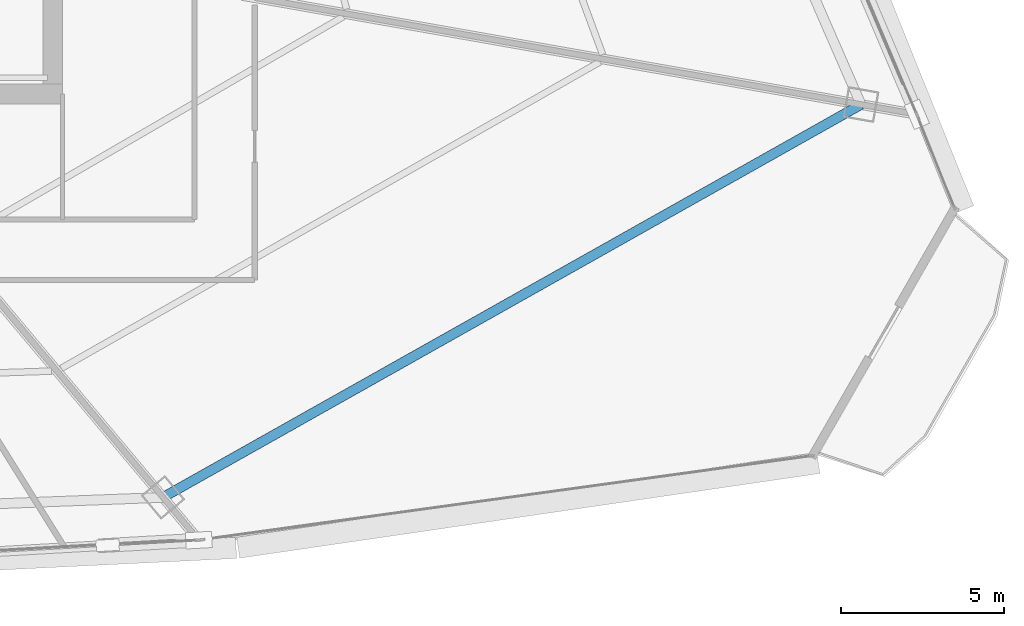
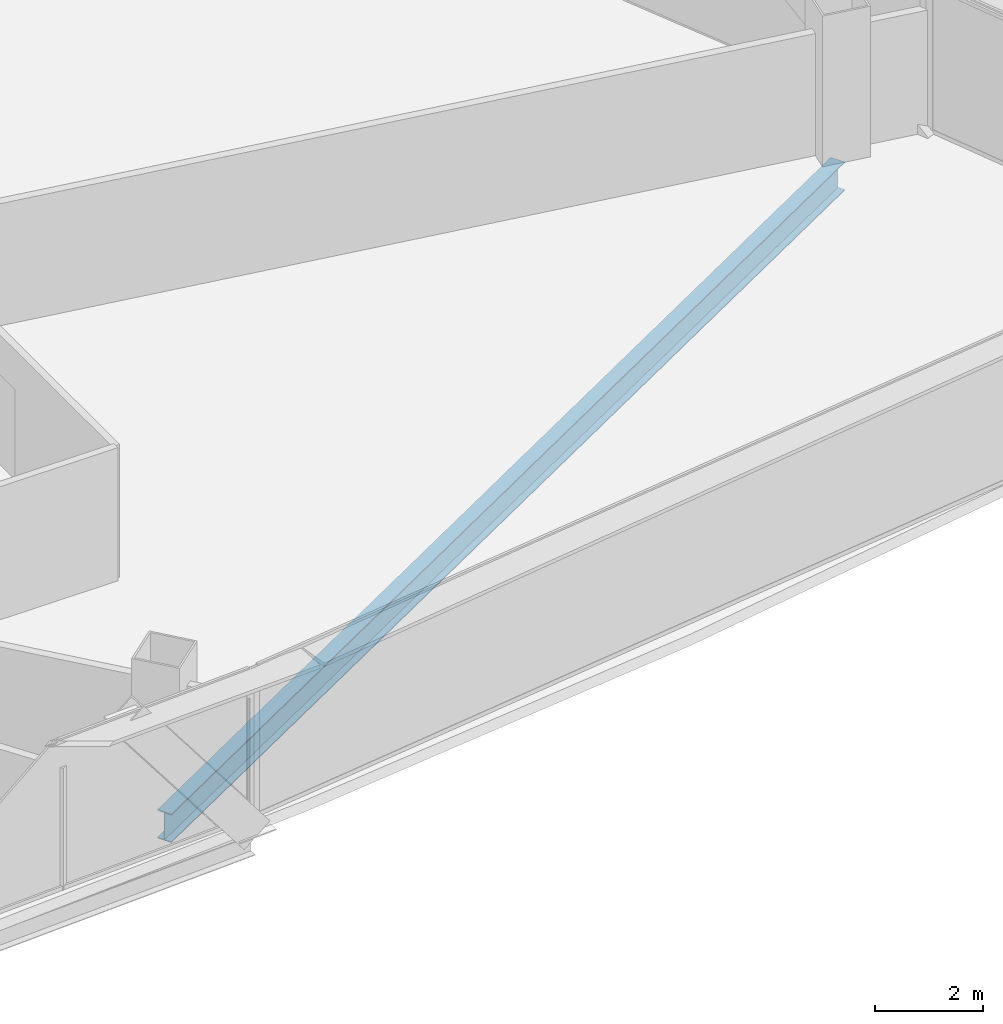
# One storey, part 23 of 39: 1 beam.
"""IFC4 building model written with IfcOpenShell, lengths in metres."""

import ifcopenshell
import ifcopenshell.guid

model = None  # the IFC model being written
_history = None  # IfcOwnerHistory: only IFC2X3 demands one
_inside = {}  # id of a spatial element -> (the spatial element, [elements in it])
_under = {}  # id of a project, library or spatial element -> (it, [spatial elements below it])
_declared = {}  # id of a project -> (the project, [libraries it declares])
_typed = {}  # id of a type object -> (the type object, [elements of that type])
_made_of = {}  # id of a material, layer set ... -> (it, [elements and type objects made of it])


def new_model(schema):
    """Start an empty IFC model of exactly this schema.

    Asked for "IFC4X3", IfcOpenShell would pick the latest addendum, in which some entities
    have other attributes; the version numbers below select the first issue.
    IFC2X3 requires an IfcOwnerHistory on every rooted entity: one is made here for all.
    """
    global model, _history
    if schema == "IFC4X3":
        model = ifcopenshell.file(schema_version=(4, 3, 0, 0))
    else:
        model = ifcopenshell.file(schema=schema)
    _inside.clear()
    _under.clear()
    _declared.clear()
    _typed.clear()
    _made_of.clear()
    _history = None
    if model.schema == "IFC2X3":
        org = make("IfcOrganization", Name="unknown")
        user = make(
            "IfcPersonAndOrganization",
            ThePerson=make("IfcPerson", FamilyName="unknown"),
            TheOrganization=org,
        )
        app = make(
            "IfcApplication",
            ApplicationDeveloper=org,
            Version="unknown",
            ApplicationFullName="unknown",
            ApplicationIdentifier="unknown",
        )
        _history = make(
            "IfcOwnerHistory",
            OwningUser=user,
            OwningApplication=app,
            ChangeAction="ADDED",
            CreationDate=0,
        )
    return model


def make(cls, **values):
    """One entity of the class cls with the attributes given. An attribute that is None is left unset."""
    return model.create_entity(
        cls, **{name: value for name, value in values.items() if value is not None}
    )


def rooted(cls, **values):
    """An entity with a GlobalId (a new one), such as an element, a storey or a relation."""
    return make(cls, GlobalId=ifcopenshell.guid.new(), OwnerHistory=_history, **values)


def si_unit(unit_type, name, prefix=None):
    """IfcSIUnit, for example si_unit("LENGTHUNIT", "METRE", prefix="MILLI")."""
    return make("IfcSIUnit", UnitType=unit_type, Prefix=prefix, Name=name)


def assignment(units):
    """IfcUnitAssignment: the units of a project."""
    return None if units is None else make("IfcUnitAssignment", Units=units)


def point(xyz):
    """IfcCartesianPoint."""
    return None if xyz is None else make("IfcCartesianPoint", Coordinates=xyz)


def direction(xyz):
    """IfcDirection."""
    return None if xyz is None else make("IfcDirection", DirectionRatios=xyz)


def frame(location, z_axis=None, x_axis=None):
    """IfcAxis2Placement3D, a coordinate frame: its origin and axes. An axis left out is left unset."""
    return make(
        "IfcAxis2Placement3D",
        Location=point(location),
        Axis=direction(z_axis),
        RefDirection=direction(x_axis),
    )


def frame_2d(location, x_axis=None):
    """IfcAxis2Placement2D, a coordinate frame in the plane: its origin and x axis."""
    return make(
        "IfcAxis2Placement2D", Location=point(location), RefDirection=direction(x_axis)
    )


def origin():
    """The frame at (0, 0, 0) with its axes left unset."""
    return frame((0.0, 0.0, 0.0))


def origin_2d():
    """The frame at (0, 0) in the plane with its x axis left unset."""
    return frame_2d((0.0, 0.0))


def place(relative_to, where):
    """IfcLocalPlacement: puts the frame where relative to a parent placement (None: the world)."""
    return make(
        "IfcLocalPlacement", PlacementRelTo=relative_to, RelativePlacement=where
    )


def context(
    kind, dimensions, precision=None, world=None, true_north=None, identifier=None
):
    """IfcGeometricRepresentationContext, for example the 3D "Model" context."""
    return make(
        "IfcGeometricRepresentationContext",
        ContextIdentifier=identifier,
        ContextType=kind,
        CoordinateSpaceDimension=dimensions,
        Precision=precision,
        WorldCoordinateSystem=world,
        TrueNorth=true_north,
    )


def subcontext(parent, identifier, kind, view, scale=None):
    """IfcGeometricRepresentationSubContext, for example "Body" below "Model"."""
    return make(
        "IfcGeometricRepresentationSubContext",
        ContextIdentifier=identifier,
        ContextType=kind,
        ParentContext=parent,
        TargetScale=scale,
        TargetView=view,
    )


def project(units=None, contexts=None):
    """IfcProject with its units and contexts."""
    return rooted(
        "IfcProject",
        Name="project",
        RepresentationContexts=contexts,
        UnitsInContext=assignment(units),
    )


def spatial(cls, under=None, at=None, **own):
    """A site, building, storey or space (cls), placed at a placement, below another one or the project."""
    s = rooted(cls, ObjectPlacement=at, **own)
    if under is not None:
        _under.setdefault(under.id(), (under, []))[1].append(s)
    return s


def profile(cls, at=None, kind="AREA", **sizes):
    """A parametric profile (cls). Its sizes go by their IFC names, for example OverallWidth=200.0."""
    return make(cls, ProfileType=kind, Position=at, **sizes)


def i_section(**sizes):
    """IfcIShapeProfileDef."""
    return profile("IfcIShapeProfileDef", **sizes)


def extrude(swept, where, along, depth):
    """IfcExtrudedAreaSolid: the profile swept, set in the frame where, extruded along a direction by depth."""
    return make(
        "IfcExtrudedAreaSolid",
        SweptArea=swept,
        Position=where,
        ExtrudedDirection=direction(along),
        Depth=depth,
    )


def shape(context_of_items, identifier, shape_type, items):
    """IfcShapeRepresentation: the items that make up one representation, for example the "Body"."""
    return make(
        "IfcShapeRepresentation",
        ContextOfItems=context_of_items,
        RepresentationIdentifier=identifier,
        RepresentationType=shape_type,
        Items=items,
    )


def source(mapping_origin, context_of_items, identifier, shape_type, items):
    """IfcRepresentationMap: a shape defined once, which mapped items show again and again."""
    return make(
        "IfcRepresentationMap",
        MappingOrigin=mapping_origin,
        MappedRepresentation=shape(context_of_items, identifier, shape_type, items),
    )


def transform(
    local_origin,
    x_axis=None,
    y_axis=None,
    z_axis=None,
    scale=None,
    scale2=None,
    scale3=None,
    uniform=True,
):
    """IfcCartesianTransformationOperator3D, or its non-uniform kind. x_axis, y_axis, z_axis: its Axis1, 2, 3."""
    if uniform:
        return make(
            "IfcCartesianTransformationOperator3D",
            Axis1=direction(x_axis),
            Axis2=direction(y_axis),
            LocalOrigin=point(local_origin),
            Scale=scale,
            Axis3=direction(z_axis),
        )
    return make(
        "IfcCartesianTransformationOperator3DnonUniform",
        Axis1=direction(x_axis),
        Axis2=direction(y_axis),
        LocalOrigin=point(local_origin),
        Scale=scale,
        Axis3=direction(z_axis),
        Scale2=scale2,
        Scale3=scale3,
    )


def mapped(mapping_source, mapping_target):
    """IfcMappedItem: shows the shape of a source again, moved by a transform."""
    return make(
        "IfcMappedItem", MappingSource=mapping_source, MappingTarget=mapping_target
    )


def material(Name=None, Category=None):
    """IfcMaterial."""
    return make("IfcMaterial", Name=Name, Category=Category)


def material_profile(
    of_material, cross_section, Name=None, Category=None, Priority=None
):
    """IfcMaterialProfile: a cross section and its material."""
    return make(
        "IfcMaterialProfile",
        Name=Name,
        Material=of_material,
        Profile=cross_section,
        Priority=Priority,
        Category=Category,
    )


def profile_set(profiles, Name=None, composite=None):
    """IfcMaterialProfileSet."""
    return make(
        "IfcMaterialProfileSet",
        Name=Name,
        MaterialProfiles=profiles,
        CompositeProfile=composite,
    )


def made_of(thing, what):
    """Note that an element or type object is made of a material, layer set ...; save() writes the relation."""
    if what is not None:
        _made_of.setdefault(what.id(), (what, []))[1].append(thing)
    return thing


def type_object(cls, material=None, **own):
    """A type object (cls), such as IfcWallType, which elements share."""
    return made_of(rooted(cls, **own), material)


def element(
    cls,
    number,
    at=None,
    inside=None,
    cuts=None,
    type_object=None,
    material=None,
    context=None,
    identifier="Body",
    shape_type=None,
    held_by="IfcProductDefinitionShape",
    body=None,
    shapes=None,
    **own,
):
    """One element of the class cls, such as IfcWall. Its Tag is "e" and its number.

    at: its placement. inside: the storey or other place that contains it. cuts: it is an
    opening in that element (IfcRelVoidsElement). A single representation is given by context,
    identifier, shape_type and body (its items); several are given by shapes. held_by: the class
    of the entity that holds the representations. save() writes the other relations.
    """
    e = rooted(cls, Tag="e%d" % number, ObjectPlacement=at, **own)
    if body is not None:
        shapes = [shape(context, identifier, shape_type, body)]
    if shapes is not None:
        e.Representation = make(held_by, Representations=shapes)
    if inside is not None:
        _inside.setdefault(inside.id(), (inside, []))[1].append(e)
    if cuts is not None:
        rooted(
            "IfcRelVoidsElement", RelatingBuildingElement=cuts, RelatedOpeningElement=e
        )
    if type_object is not None:
        _typed.setdefault(type_object.id(), (type_object, []))[1].append(e)
    return made_of(e, material)


def aggregate(whole, parts):
    """IfcRelAggregates: a whole, such as a stair, and the parts it consists of."""
    return rooted("IfcRelAggregates", RelatingObject=whole, RelatedObjects=parts)


def save(model, path):
    """Write the relations noted so far, then the file.

    IfcRelAggregates (storeys below a building ...), IfcRelContainedInSpatialStructure (elements
    in a storey), IfcRelDefinesByType, IfcRelAssociatesMaterial and IfcRelDeclares: one each for
    every whole, place, type object, material and project.
    """
    for whole, parts in _under.values():
        aggregate(whole, parts)
    for where, things in _inside.values():
        rooted(
            "IfcRelContainedInSpatialStructure",
            RelatedElements=things,
            RelatingStructure=where,
        )
    for kind, things in _typed.values():
        rooted("IfcRelDefinesByType", RelatedObjects=things, RelatingType=kind)
    for what, things in _made_of.values():
        rooted("IfcRelAssociatesMaterial", RelatedObjects=things, RelatingMaterial=what)
    for by, libraries in _declared.values():
        rooted("IfcRelDeclares", RelatingContext=by, RelatedDefinitions=libraries)
    model.write(path)


model = new_model("IFC4")

# Units and contexts
model_context = context("Model", 3, precision=1e-05, world=origin(), true_north=direction((0.0, 1.0)))
body_context = subcontext(model_context, "Body", "Model", "MODEL_VIEW")
ifc_project = project(units=[si_unit("LENGTHUNIT", "METRE"), si_unit("AREAUNIT", "SQUARE_METRE"), si_unit("VOLUMEUNIT", "CUBIC_METRE"), si_unit("PLANEANGLEUNIT", "RADIAN"), si_unit("MASSUNIT", "GRAM", prefix="KILO"), si_unit("THERMODYNAMICTEMPERATUREUNIT", "KELVIN"), si_unit("POWERUNIT", "WATT")], contexts=[model_context])

# Site, building, storey
site_placement = place(None, origin())
site = spatial("IfcSite", under=ifc_project, at=site_placement, CompositionType="ELEMENT")
building_placement = place(site_placement, origin())
building = spatial("IfcBuilding", under=site, at=building_placement, Name="Yunzhuo Pagoda Commons", CompositionType="ELEMENT")
storey_placement = place(building_placement, frame((0.0, 0.0, 144.550048828125)))
storey = spatial("IfcBuildingStorey", under=building, at=storey_placement, Name="L36", CompositionType="ELEMENT", Elevation=144.550048828125)

# Beam
ifc_material = material(Name="Structural steel Q355B", Category="steel")
ifc_material_profile = material_profile(ifc_material, i_section(OverallWidth=0.300048828125, OverallDepth=0.64990234375, WebThickness=0.012939453125, FlangeThickness=0.02197265625, at=origin_2d()), Name="Structural steel Q355B")
ifc_profile_set = profile_set([ifc_material_profile], Name="Structural steel Q355B")
beam_type = type_object("IfcBeamType", Name="B-RG2 Beam HN 650x300x13x22", PredefinedType="BEAM", material=ifc_profile_set)
shared_shape = source(origin(), body_context, "Body", "SweptSolid", [
    extrude(i_section(OverallWidth=0.300048828125, OverallDepth=0.64990234375, WebThickness=0.012939453125, FlangeThickness=0.02197265625, at=origin_2d()), origin(), (0.0, 0.0, 1.0), 24.56982421875),
])
beam_placement = place(storey_placement, frame((63.585205078125, 15.126220703125, -0.5849609375), z_axis=(0.871469103633, 0.490450406681, 0.0), x_axis=(-0.490450406681, 0.871469103633, 0.0)))
element("IfcBeam", 1, at=beam_placement, inside=storey, type_object=beam_type, Name="L36 column-ring beam 4", PredefinedType="BEAM", context=body_context, shape_type="MappedRepresentation", body=[
    mapped(shared_shape, transform((0.0, 0.0, 0.0), scale=1.0)),
])

save(model, "model.ifc")
